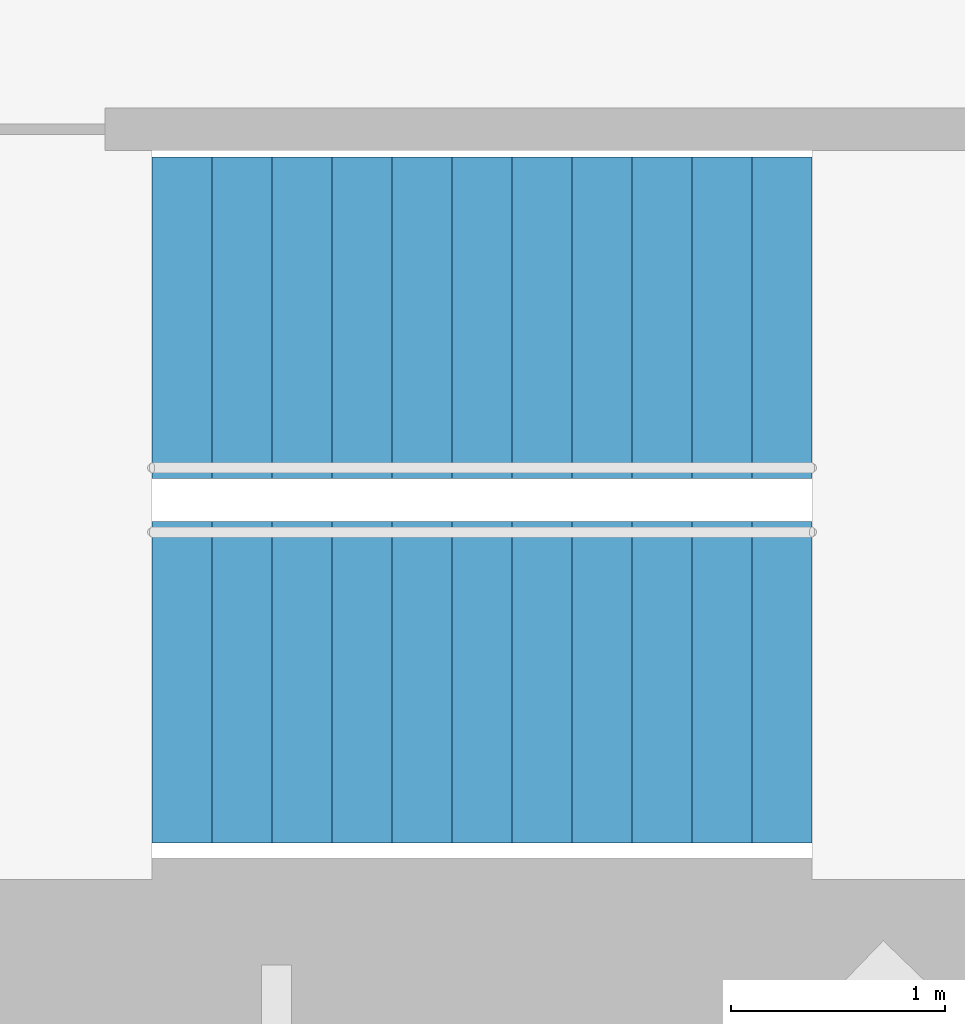
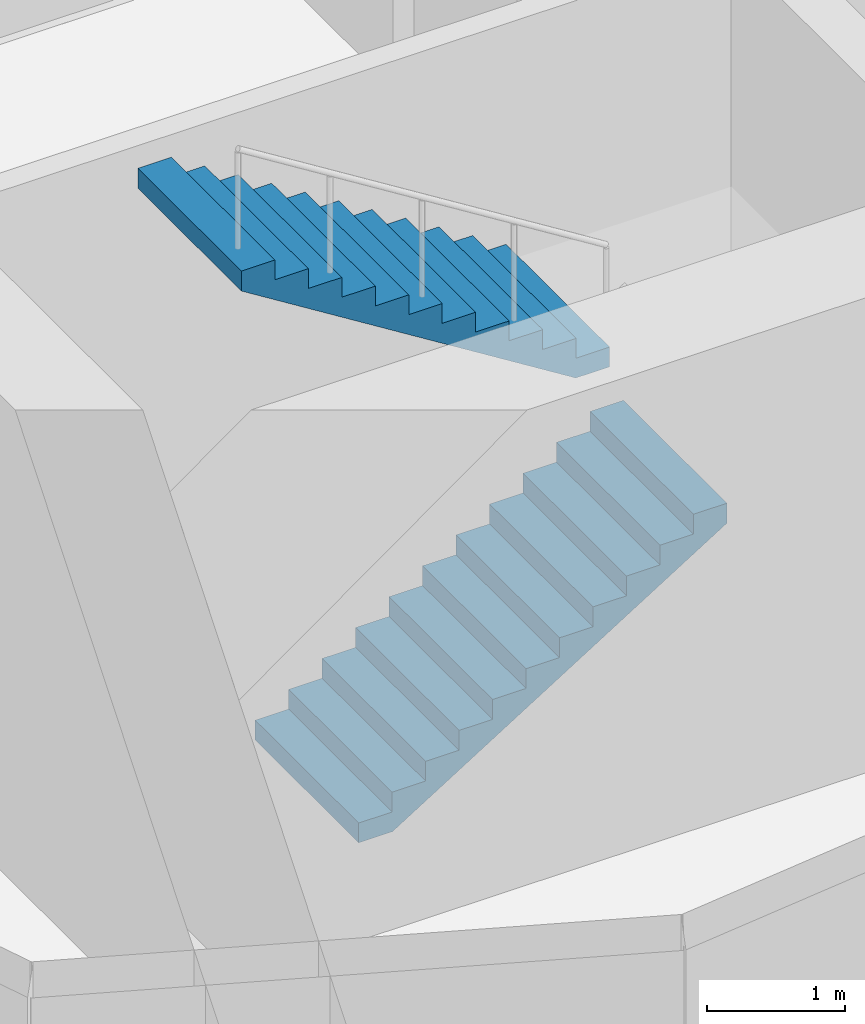
# One storey, part 14 of 16: 2 stair flights, 1 element without a shape of its own.
"""IFC4 building model written with IfcOpenShell, lengths in metres."""

import ifcopenshell
import ifcopenshell.guid

model = None  # the IFC model being written
_history = None  # IfcOwnerHistory: only IFC2X3 demands one
_inside = {}  # id of a spatial element -> (the spatial element, [elements in it])
_under = {}  # id of a project, library or spatial element -> (it, [spatial elements below it])
_declared = {}  # id of a project -> (the project, [libraries it declares])
_typed = {}  # id of a type object -> (the type object, [elements of that type])
_made_of = {}  # id of a material, layer set ... -> (it, [elements and type objects made of it])


def new_model(schema):
    """Start an empty IFC model of exactly this schema.

    Asked for "IFC4X3", IfcOpenShell would pick the latest addendum, in which some entities
    have other attributes; the version numbers below select the first issue.
    IFC2X3 requires an IfcOwnerHistory on every rooted entity: one is made here for all.
    """
    global model, _history
    if schema == "IFC4X3":
        model = ifcopenshell.file(schema_version=(4, 3, 0, 0))
    else:
        model = ifcopenshell.file(schema=schema)
    _inside.clear()
    _under.clear()
    _declared.clear()
    _typed.clear()
    _made_of.clear()
    _history = None
    if model.schema == "IFC2X3":
        org = make("IfcOrganization", Name="unknown")
        user = make(
            "IfcPersonAndOrganization",
            ThePerson=make("IfcPerson", FamilyName="unknown"),
            TheOrganization=org,
        )
        app = make(
            "IfcApplication",
            ApplicationDeveloper=org,
            Version="unknown",
            ApplicationFullName="unknown",
            ApplicationIdentifier="unknown",
        )
        _history = make(
            "IfcOwnerHistory",
            OwningUser=user,
            OwningApplication=app,
            ChangeAction="ADDED",
            CreationDate=0,
        )
    return model


def make(cls, **values):
    """One entity of the class cls with the attributes given. An attribute that is None is left unset."""
    return model.create_entity(
        cls, **{name: value for name, value in values.items() if value is not None}
    )


def rooted(cls, **values):
    """An entity with a GlobalId (a new one), such as an element, a storey or a relation."""
    return make(cls, GlobalId=ifcopenshell.guid.new(), OwnerHistory=_history, **values)


def si_unit(unit_type, name, prefix=None):
    """IfcSIUnit, for example si_unit("LENGTHUNIT", "METRE", prefix="MILLI")."""
    return make("IfcSIUnit", UnitType=unit_type, Prefix=prefix, Name=name)


def assignment(units):
    """IfcUnitAssignment: the units of a project."""
    return None if units is None else make("IfcUnitAssignment", Units=units)


def point(xyz):
    """IfcCartesianPoint."""
    return None if xyz is None else make("IfcCartesianPoint", Coordinates=xyz)


def direction(xyz):
    """IfcDirection."""
    return None if xyz is None else make("IfcDirection", DirectionRatios=xyz)


def frame(location, z_axis=None, x_axis=None):
    """IfcAxis2Placement3D, a coordinate frame: its origin and axes. An axis left out is left unset."""
    return make(
        "IfcAxis2Placement3D",
        Location=point(location),
        Axis=direction(z_axis),
        RefDirection=direction(x_axis),
    )


def origin():
    """The frame at (0, 0, 0) with its axes left unset."""
    return frame((0.0, 0.0, 0.0))


def place(relative_to, where):
    """IfcLocalPlacement: puts the frame where relative to a parent placement (None: the world)."""
    return make(
        "IfcLocalPlacement", PlacementRelTo=relative_to, RelativePlacement=where
    )


def context(
    kind, dimensions, precision=None, world=None, true_north=None, identifier=None
):
    """IfcGeometricRepresentationContext, for example the 3D "Model" context."""
    return make(
        "IfcGeometricRepresentationContext",
        ContextIdentifier=identifier,
        ContextType=kind,
        CoordinateSpaceDimension=dimensions,
        Precision=precision,
        WorldCoordinateSystem=world,
        TrueNorth=true_north,
    )


def subcontext(parent, identifier, kind, view, scale=None):
    """IfcGeometricRepresentationSubContext, for example "Body" below "Model"."""
    return make(
        "IfcGeometricRepresentationSubContext",
        ContextIdentifier=identifier,
        ContextType=kind,
        ParentContext=parent,
        TargetScale=scale,
        TargetView=view,
    )


def project(units=None, contexts=None):
    """IfcProject with its units and contexts."""
    return rooted(
        "IfcProject",
        Name="project",
        RepresentationContexts=contexts,
        UnitsInContext=assignment(units),
    )


def spatial(cls, under=None, at=None, **own):
    """A site, building, storey or space (cls), placed at a placement, below another one or the project."""
    s = rooted(cls, ObjectPlacement=at, **own)
    if under is not None:
        _under.setdefault(under.id(), (under, []))[1].append(s)
    return s


def point_list(points):
    """IfcCartesianPointList2D or 3D."""
    cls = (
        "IfcCartesianPointList2D" if len(points[0]) == 2 else "IfcCartesianPointList3D"
    )
    return make(cls, CoordList=points)


def triangles(points, corners, closed=None, point_numbers=None):
    """IfcTriangulatedFaceSet: each triangle names its three corners, points numbered from 1."""
    return make(
        "IfcTriangulatedFaceSet",
        Coordinates=point_list(points),
        Closed=closed,
        CoordIndex=corners,
        PnIndex=point_numbers,
    )


def shape(context_of_items, identifier, shape_type, items):
    """IfcShapeRepresentation: the items that make up one representation, for example the "Body"."""
    return make(
        "IfcShapeRepresentation",
        ContextOfItems=context_of_items,
        RepresentationIdentifier=identifier,
        RepresentationType=shape_type,
        Items=items,
    )


def material(Name=None, Category=None):
    """IfcMaterial."""
    return make("IfcMaterial", Name=Name, Category=Category)


def made_of(thing, what):
    """Note that an element or type object is made of a material, layer set ...; save() writes the relation."""
    if what is not None:
        _made_of.setdefault(what.id(), (what, []))[1].append(thing)
    return thing


def type_object(cls, material=None, **own):
    """A type object (cls), such as IfcWallType, which elements share."""
    return made_of(rooted(cls, **own), material)


def element(
    cls,
    number,
    at=None,
    inside=None,
    cuts=None,
    type_object=None,
    material=None,
    context=None,
    identifier="Body",
    shape_type=None,
    held_by="IfcProductDefinitionShape",
    body=None,
    shapes=None,
    **own,
):
    """One element of the class cls, such as IfcWall. Its Tag is "e" and its number.

    at: its placement. inside: the storey or other place that contains it. cuts: it is an
    opening in that element (IfcRelVoidsElement). A single representation is given by context,
    identifier, shape_type and body (its items); several are given by shapes. held_by: the class
    of the entity that holds the representations. save() writes the other relations.
    """
    e = rooted(cls, Tag="e%d" % number, ObjectPlacement=at, **own)
    if body is not None:
        shapes = [shape(context, identifier, shape_type, body)]
    if shapes is not None:
        e.Representation = make(held_by, Representations=shapes)
    if inside is not None:
        _inside.setdefault(inside.id(), (inside, []))[1].append(e)
    if cuts is not None:
        rooted(
            "IfcRelVoidsElement", RelatingBuildingElement=cuts, RelatedOpeningElement=e
        )
    if type_object is not None:
        _typed.setdefault(type_object.id(), (type_object, []))[1].append(e)
    return made_of(e, material)


def aggregate(whole, parts):
    """IfcRelAggregates: a whole, such as a stair, and the parts it consists of."""
    return rooted("IfcRelAggregates", RelatingObject=whole, RelatedObjects=parts)


def save(model, path):
    """Write the relations noted so far, then the file.

    IfcRelAggregates (storeys below a building ...), IfcRelContainedInSpatialStructure (elements
    in a storey), IfcRelDefinesByType, IfcRelAssociatesMaterial and IfcRelDeclares: one each for
    every whole, place, type object, material and project.
    """
    for whole, parts in _under.values():
        aggregate(whole, parts)
    for where, things in _inside.values():
        rooted(
            "IfcRelContainedInSpatialStructure",
            RelatedElements=things,
            RelatingStructure=where,
        )
    for kind, things in _typed.values():
        rooted("IfcRelDefinesByType", RelatedObjects=things, RelatingType=kind)
    for what, things in _made_of.values():
        rooted("IfcRelAssociatesMaterial", RelatedObjects=things, RelatingMaterial=what)
    for by, libraries in _declared.values():
        rooted("IfcRelDeclares", RelatingContext=by, RelatedDefinitions=libraries)
    model.write(path)


model = new_model("IFC4")

# Units and contexts
model_context = context("Model", 3, precision=1e-05, world=origin(), true_north=direction((0.0, 1.0)))
body_context = subcontext(model_context, "Body", "Model", "MODEL_VIEW")
ifc_project = project(units=[si_unit("LENGTHUNIT", "METRE"), si_unit("AREAUNIT", "SQUARE_METRE"), si_unit("VOLUMEUNIT", "CUBIC_METRE"), si_unit("PLANEANGLEUNIT", "RADIAN"), si_unit("MASSUNIT", "GRAM", prefix="KILO")], contexts=[model_context])

# Site, building, storey
site_placement = place(None, origin())
site = spatial("IfcSite", under=ifc_project, at=site_placement, CompositionType="ELEMENT")
building_placement = place(site_placement, origin())
building = spatial("IfcBuilding", under=site, at=building_placement, Name="Lantaw Convention Tower", CompositionType="ELEMENT")
storey_placement = place(building_placement, frame((0.0, 0.0, 232.60009765625)))
storey = spatial("IfcBuildingStorey", under=building, at=storey_placement, Name="L54", CompositionType="ELEMENT", Elevation=232.60009765625)

# Stair, stair flights
ifc_material = material(Name="Concrete C35/45", Category="concrete")
stair_type = type_object("IfcStairType", Name="Exit stair 1500 riser 175 in 2 flights", PredefinedType="HALF_TURN_STAIR", material=ifc_material)
stair_placement = place(storey_placement, origin())
stair = element("IfcStair", 1, at=stair_placement, inside=storey, type_object=stair_type, Name="Exit stair S1 L54", PredefinedType="HALF_TURN_STAIR")
stair_flight_type = type_object("IfcStairFlightType", Name="Stair flight 1500 riser 175", PredefinedType="STRAIGHT", material=ifc_material)
stair_flight_1_placement = place(storey_placement, frame((-10.580078125, -5.97998046875, 0.0), z_axis=(0.0, 0.0, 1.0), x_axis=(1.0, 0.0, 0.0)))
stair_flight_1 = element("IfcStairFlight", 2, at=stair_flight_1_placement, type_object=stair_flight_type, Name="S1 flight 1", NumberOfRisers=12, NumberOfTreads=11, PredefinedType="STRAIGHT", RiserHeight=0.175, TreadLength=0.28, context=body_context, shape_type="Tessellation", body=[
    triangles([(0.0, 0.75, 0.0), (0.0, 0.75, 0.175), (0.28, 0.75, 0.0), (0.28, 0.75, 0.175), (0.28, 0.75, 0.35), (0.28283517651771284, 0.75, 0.0), (0.28283517651771284, 0.75, 0.35), (0.56, 0.75, 0.17322801467642948), (0.56, 0.75, 0.35), (0.56, 0.75, 0.5249999999999999), (0.8400000000000001, 0.75, 0.34822801467642944), (0.8400000000000001, 0.75, 0.5249999999999999), (0.8400000000000001, 0.75, 0.7), (1.12, 0.75, 0.5232280146764294), (1.12, 0.75, 0.7), (1.12, 0.75, 0.875), (1.4000000000000001, 0.75, 0.6982280146764295), (1.4000000000000001, 0.75, 0.875), (1.4000000000000001, 0.75, 1.0499999999999998), (1.6800000000000002, 0.75, 0.8732280146764294), (1.6800000000000002, 0.75, 1.0499999999999998), (1.6800000000000002, 0.75, 1.2249999999999999), (1.9600000000000002, 0.75, 1.0482280146764293), (1.9600000000000002, 0.75, 1.2249999999999999), (1.9600000000000002, 0.75, 1.4), (2.24, 0.75, 1.2232280146764294), (2.24, 0.75, 1.4), (2.24, 0.75, 1.575), (2.5200000000000005, 0.75, 1.3982280146764294), (2.5200000000000005, 0.75, 1.575), (2.5200000000000005, 0.75, 1.75), (2.8000000000000003, 0.75, 1.5732280146764293), (2.8000000000000003, 0.75, 1.75), (2.8000000000000003, 0.75, 1.9249999999999998), (3.08, 0.75, 1.7482280146764293), (3.08, 0.75, 1.9249999999999998), (0.0, -0.75, 0.0), (0.0, -0.75, 0.175), (0.28, -0.75, 0.0), (0.28, -0.75, 0.175), (0.28, -0.75, 0.35), (0.28283517651771284, -0.75, 0.0), (0.28283517651771284, -0.75, 0.35), (0.56, -0.75, 0.17322801467642948), (0.56, -0.75, 0.35), (0.56, -0.75, 0.5249999999999999), (0.8400000000000001, -0.75, 0.34822801467642944), (0.8400000000000001, -0.75, 0.5249999999999999), (0.8400000000000001, -0.75, 0.7), (1.12, -0.75, 0.5232280146764294), (1.12, -0.75, 0.7), (1.12, -0.75, 0.875), (1.4000000000000001, -0.75, 0.6982280146764295), (1.4000000000000001, -0.75, 0.875), (1.4000000000000001, -0.75, 1.0499999999999998), (1.6800000000000002, -0.75, 0.8732280146764294), (1.6800000000000002, -0.75, 1.0499999999999998), (1.6800000000000002, -0.75, 1.2249999999999999), (1.9600000000000002, -0.75, 1.0482280146764293), (1.9600000000000002, -0.75, 1.2249999999999999), (1.9600000000000002, -0.75, 1.4), (2.24, -0.75, 1.2232280146764294), (2.24, -0.75, 1.4), (2.24, -0.75, 1.575), (2.5200000000000005, -0.75, 1.3982280146764294), (2.5200000000000005, -0.75, 1.575), (2.5200000000000005, -0.75, 1.75), (2.8000000000000003, -0.75, 1.5732280146764293), (2.8000000000000003, -0.75, 1.75), (2.8000000000000003, -0.75, 1.9249999999999998), (3.08, -0.75, 1.7482280146764293), (3.08, -0.75, 1.9249999999999998), (0.0, 0.15000000000000002, 0.175), (0.0, 0.15000000000000002, 0.0), (0.0, 0.0, 0.175), (0.0, 0.0, 0.0), (0.0, -0.15000000000000002, 0.175), (0.0, -0.15000000000000002, 0.0), (0.28, 0.15000000000000002, 0.35), (0.28, 0.15000000000000002, 0.175), (0.28, 0.0, 0.35), (0.28, 0.0, 0.175), (0.28, -0.15000000000000002, 0.35), (0.28, -0.15000000000000002, 0.175), (0.56, 0.15000000000000002, 0.5249999999999999), (0.56, 0.15000000000000002, 0.35), (0.56, 0.0, 0.5249999999999999), (0.56, 0.0, 0.35), (0.56, -0.15000000000000002, 0.5249999999999999), (0.56, -0.15000000000000002, 0.35), (0.8400000000000001, 0.15000000000000002, 0.7), (0.8400000000000001, 0.15000000000000002, 0.5249999999999999), (0.8400000000000001, 0.0, 0.7), (0.8400000000000001, 0.0, 0.5249999999999999), (0.8400000000000001, -0.15000000000000002, 0.7), (0.8400000000000001, -0.15000000000000002, 0.5249999999999999), (1.12, 0.15000000000000002, 0.875), (1.12, 0.15000000000000002, 0.7), (1.12, 0.0, 0.875), (1.12, 0.0, 0.7), (1.12, -0.15000000000000002, 0.875), (1.12, -0.15000000000000002, 0.7), (1.4000000000000001, 0.15000000000000002, 1.0499999999999998), (1.4000000000000001, 0.15000000000000002, 0.875), (1.4000000000000001, 0.0, 1.0499999999999998), (1.4000000000000001, 0.0, 0.875), (1.4000000000000001, -0.15000000000000002, 1.0499999999999998), (1.4000000000000001, -0.15000000000000002, 0.875), (1.6800000000000002, 0.15000000000000002, 1.2249999999999999), (1.6800000000000002, 0.15000000000000002, 1.0499999999999998), (1.6800000000000002, 0.0, 1.2249999999999999), (1.6800000000000002, 0.0, 1.0499999999999998), (1.6800000000000002, -0.15000000000000002, 1.2249999999999999), (1.6800000000000002, -0.15000000000000002, 1.0499999999999998), (1.9600000000000002, 0.15000000000000002, 1.4), (1.9600000000000002, 0.15000000000000002, 1.2249999999999999), (1.9600000000000002, 0.0, 1.4), (1.9600000000000002, 0.0, 1.2249999999999999), (1.9600000000000002, -0.15000000000000002, 1.4), (1.9600000000000002, -0.15000000000000002, 1.2249999999999999), (2.24, 0.15000000000000002, 1.575), (2.24, 0.15000000000000002, 1.4), (2.24, 0.0, 1.575), (2.24, 0.0, 1.4), (2.24, -0.15000000000000002, 1.575), (2.24, -0.15000000000000002, 1.4), (2.5200000000000005, 0.15000000000000002, 1.75), (2.5200000000000005, 0.15000000000000002, 1.575), (2.5200000000000005, 0.0, 1.75), (2.5200000000000005, 0.0, 1.575), (2.5200000000000005, -0.15000000000000002, 1.75), (2.5200000000000005, -0.15000000000000002, 1.575), (2.8000000000000003, 0.15000000000000002, 1.9249999999999998), (2.8000000000000003, 0.15000000000000002, 1.75), (2.8000000000000003, 0.0, 1.9249999999999998), (2.8000000000000003, 0.0, 1.75), (2.8000000000000003, -0.15000000000000002, 1.9249999999999998), (2.8000000000000003, -0.15000000000000002, 1.75), (0.28283517651771284, 0.15000000000000002, 0.35), (0.28283517651771284, 0.0, 0.35), (0.28283517651771284, -0.15000000000000002, 0.35), (3.08, 0.15000000000000002, 1.9249999999999998), (3.08, 0.0, 1.9249999999999998), (3.08, -0.15000000000000002, 1.9249999999999998), (3.08, 0.15000000000000002, 1.7482280146764293), (3.08, 0.0, 1.7482280146764293), (3.08, -0.15000000000000002, 1.7482280146764293), (2.8000000000000003, 0.15000000000000002, 1.5732280146764293), (2.8000000000000003, 0.0, 1.5732280146764293), (2.8000000000000003, -0.15000000000000002, 1.5732280146764293), (2.5200000000000005, 0.15000000000000002, 1.3982280146764294), (2.5200000000000005, 0.0, 1.3982280146764294), (2.5200000000000005, -0.15000000000000002, 1.3982280146764294), (2.24, 0.15000000000000002, 1.2232280146764294), (2.24, 0.0, 1.2232280146764294), (2.24, -0.15000000000000002, 1.2232280146764294), (1.9600000000000002, 0.15000000000000002, 1.0482280146764293), (1.9600000000000002, 0.0, 1.0482280146764293), (1.9600000000000002, -0.15000000000000002, 1.0482280146764293), (1.6800000000000002, 0.15000000000000002, 0.8732280146764294), (1.6800000000000002, 0.0, 0.8732280146764294), (1.6800000000000002, -0.15000000000000002, 0.8732280146764294), (1.4000000000000001, 0.15000000000000002, 0.6982280146764295), (1.4000000000000001, 0.0, 0.6982280146764295), (1.4000000000000001, -0.15000000000000002, 0.6982280146764295), (1.12, 0.15000000000000002, 0.5232280146764294), (1.12, 0.0, 0.5232280146764294), (1.12, -0.15000000000000002, 0.5232280146764294), (0.8400000000000001, 0.15000000000000002, 0.34822801467642944), (0.8400000000000001, 0.0, 0.34822801467642944), (0.8400000000000001, -0.15000000000000002, 0.34822801467642944), (0.56, 0.15000000000000002, 0.17322801467642948), (0.56, 0.0, 0.17322801467642948), (0.56, -0.15000000000000002, 0.17322801467642948), (0.28283517651771284, 0.15000000000000002, 0.0), (0.28283517651771284, 0.0, 0.0), (0.28283517651771284, -0.15000000000000002, 0.0), (0.28, 0.15000000000000002, 0.0), (0.28, 0.0, 0.0), (0.28, -0.15000000000000002, 0.0)], [[1, 4, 3], [1, 2, 4], [3, 4, 6], [4, 7, 6], [4, 5, 7], [6, 9, 8], [6, 7, 9], [8, 9, 11], [9, 12, 11], [9, 10, 12], [11, 12, 14], [12, 15, 14], [12, 13, 15], [14, 15, 17], [15, 18, 17], [15, 16, 18], [17, 18, 20], [18, 21, 20], [18, 19, 21], [20, 21, 23], [21, 24, 23], [21, 22, 24], [23, 24, 26], [24, 27, 26], [24, 25, 27], [26, 27, 29], [27, 30, 29], [27, 28, 30], [29, 30, 32], [30, 33, 32], [30, 31, 33], [32, 33, 35], [33, 36, 35], [33, 34, 36], [37, 39, 40], [37, 40, 38], [39, 42, 40], [40, 42, 43], [40, 43, 41], [42, 44, 45], [42, 45, 43], [44, 47, 45], [45, 47, 48], [45, 48, 46], [47, 50, 48], [48, 50, 51], [48, 51, 49], [50, 53, 51], [51, 53, 54], [51, 54, 52], [53, 56, 54], [54, 56, 57], [54, 57, 55], [56, 59, 57], [57, 59, 60], [57, 60, 58], [59, 62, 60], [60, 62, 63], [60, 63, 61], [62, 65, 63], [63, 65, 66], [63, 66, 64], [65, 68, 66], [66, 68, 69], [66, 69, 67], [68, 71, 69], [69, 71, 72], [69, 72, 70], [1, 73, 2], [1, 74, 73], [74, 75, 73], [74, 76, 75], [76, 77, 75], [76, 78, 77], [78, 38, 77], [78, 37, 38], [4, 79, 5], [4, 80, 79], [80, 81, 79], [80, 82, 81], [82, 83, 81], [82, 84, 83], [84, 41, 83], [84, 40, 41], [9, 85, 10], [9, 86, 85], [86, 87, 85], [86, 88, 87], [88, 89, 87], [88, 90, 89], [90, 46, 89], [90, 45, 46], [12, 91, 13], [12, 92, 91], [92, 93, 91], [92, 94, 93], [94, 95, 93], [94, 96, 95], [96, 49, 95], [96, 48, 49], [15, 97, 16], [15, 98, 97], [98, 99, 97], [98, 100, 99], [100, 101, 99], [100, 102, 101], [102, 52, 101], [102, 51, 52], [18, 103, 19], [18, 104, 103], [104, 105, 103], [104, 106, 105], [106, 107, 105], [106, 108, 107], [108, 55, 107], [108, 54, 55], [21, 109, 22], [21, 110, 109], [110, 111, 109], [110, 112, 111], [112, 113, 111], [112, 114, 113], [114, 58, 113], [114, 57, 58], [24, 115, 25], [24, 116, 115], [116, 117, 115], [116, 118, 117], [118, 119, 117], [118, 120, 119], [120, 61, 119], [120, 60, 61], [27, 121, 28], [27, 122, 121], [122, 123, 121], [122, 124, 123], [124, 125, 123], [124, 126, 125], [126, 64, 125], [126, 63, 64], [30, 127, 31], [30, 128, 127], [128, 129, 127], [128, 130, 129], [130, 131, 129], [130, 132, 131], [132, 67, 131], [132, 66, 67], [33, 133, 34], [33, 134, 133], [134, 135, 133], [134, 136, 135], [136, 137, 135], [136, 138, 137], [138, 70, 137], [138, 69, 70], [2, 80, 4], [2, 73, 80], [73, 82, 80], [73, 75, 82], [75, 84, 82], [75, 77, 84], [77, 40, 84], [77, 38, 40], [5, 139, 7], [5, 79, 139], [79, 140, 139], [79, 81, 140], [81, 141, 140], [81, 83, 141], [83, 43, 141], [83, 41, 43], [7, 86, 9], [7, 139, 86], [139, 88, 86], [139, 140, 88], [140, 90, 88], [140, 141, 90], [141, 45, 90], [141, 43, 45], [10, 92, 12], [10, 85, 92], [85, 94, 92], [85, 87, 94], [87, 96, 94], [87, 89, 96], [89, 48, 96], [89, 46, 48], [13, 98, 15], [13, 91, 98], [91, 100, 98], [91, 93, 100], [93, 102, 100], [93, 95, 102], [95, 51, 102], [95, 49, 51], [16, 104, 18], [16, 97, 104], [97, 106, 104], [97, 99, 106], [99, 108, 106], [99, 101, 108], [101, 54, 108], [101, 52, 54], [19, 110, 21], [19, 103, 110], [103, 112, 110], [103, 105, 112], [105, 114, 112], [105, 107, 114], [107, 57, 114], [107, 55, 57], [22, 116, 24], [22, 109, 116], [109, 118, 116], [109, 111, 118], [111, 120, 118], [111, 113, 120], [113, 60, 120], [113, 58, 60], [25, 122, 27], [25, 115, 122], [115, 124, 122], [115, 117, 124], [117, 126, 124], [117, 119, 126], [119, 63, 126], [119, 61, 63], [28, 128, 30], [28, 121, 128], [121, 130, 128], [121, 123, 130], [123, 132, 130], [123, 125, 132], [125, 66, 132], [125, 64, 66], [31, 134, 33], [31, 127, 134], [127, 136, 134], [127, 129, 136], [129, 138, 136], [129, 131, 138], [131, 69, 138], [131, 67, 69], [34, 142, 36], [34, 133, 142], [133, 143, 142], [133, 135, 143], [135, 144, 143], [135, 137, 144], [137, 72, 144], [137, 70, 72], [36, 145, 35], [36, 142, 145], [142, 146, 145], [142, 143, 146], [143, 147, 146], [143, 144, 147], [144, 71, 147], [144, 72, 71], [35, 148, 32], [35, 145, 148], [145, 149, 148], [145, 146, 149], [146, 150, 149], [146, 147, 150], [147, 68, 150], [147, 71, 68], [32, 151, 29], [32, 148, 151], [148, 152, 151], [148, 149, 152], [149, 153, 152], [149, 150, 153], [150, 65, 153], [150, 68, 65], [29, 154, 26], [29, 151, 154], [151, 155, 154], [151, 152, 155], [152, 156, 155], [152, 153, 156], [153, 62, 156], [153, 65, 62], [26, 157, 23], [26, 154, 157], [154, 158, 157], [154, 155, 158], [155, 159, 158], [155, 156, 159], [156, 59, 159], [156, 62, 59], [23, 160, 20], [23, 157, 160], [157, 161, 160], [157, 158, 161], [158, 162, 161], [158, 159, 162], [159, 56, 162], [159, 59, 56], [20, 163, 17], [20, 160, 163], [160, 164, 163], [160, 161, 164], [161, 165, 164], [161, 162, 165], [162, 53, 165], [162, 56, 53], [17, 166, 14], [17, 163, 166], [163, 167, 166], [163, 164, 167], [164, 168, 167], [164, 165, 168], [165, 50, 168], [165, 53, 50], [14, 169, 11], [14, 166, 169], [166, 170, 169], [166, 167, 170], [167, 171, 170], [167, 168, 171], [168, 47, 171], [168, 50, 47], [11, 172, 8], [11, 169, 172], [169, 173, 172], [169, 170, 173], [170, 174, 173], [170, 171, 174], [171, 44, 174], [171, 47, 44], [8, 175, 6], [8, 172, 175], [172, 176, 175], [172, 173, 176], [173, 177, 176], [173, 174, 177], [174, 42, 177], [174, 44, 42], [6, 178, 3], [6, 175, 178], [175, 179, 178], [175, 176, 179], [176, 180, 179], [176, 177, 180], [177, 39, 180], [177, 42, 39], [3, 74, 1], [3, 178, 74], [178, 76, 74], [178, 179, 76], [179, 78, 76], [179, 180, 78], [180, 37, 78], [180, 39, 37]], closed=True),
])
stair_flight_2_placement = place(storey_placement, frame((-7.5, -4.280029296875, 2.099853515625), z_axis=(0.0, 0.0, 1.0), x_axis=(-1.0, 0.0, 0.0)))
stair_flight_2 = element("IfcStairFlight", 3, at=stair_flight_2_placement, type_object=stair_flight_type, Name="S1 flight 2", NumberOfRisers=12, NumberOfTreads=11, PredefinedType="STRAIGHT", RiserHeight=0.175, TreadLength=0.28, context=body_context, shape_type="Tessellation", body=[
    triangles([(0.0, 0.75, 0.0), (0.0, 0.75, 0.175), (0.28, 0.75, 0.0), (0.28, 0.75, 0.175), (0.28, 0.75, 0.35), (0.28283517651771284, 0.75, 0.0), (0.28283517651771284, 0.75, 0.35), (0.56, 0.75, 0.17322801467642948), (0.56, 0.75, 0.35), (0.56, 0.75, 0.5249999999999999), (0.8400000000000001, 0.75, 0.34822801467642944), (0.8400000000000001, 0.75, 0.5249999999999999), (0.8400000000000001, 0.75, 0.7), (1.12, 0.75, 0.5232280146764294), (1.12, 0.75, 0.7), (1.12, 0.75, 0.875), (1.4000000000000001, 0.75, 0.6982280146764295), (1.4000000000000001, 0.75, 0.875), (1.4000000000000001, 0.75, 1.0499999999999998), (1.6800000000000002, 0.75, 0.8732280146764294), (1.6800000000000002, 0.75, 1.0499999999999998), (1.6800000000000002, 0.75, 1.2249999999999999), (1.9600000000000002, 0.75, 1.0482280146764293), (1.9600000000000002, 0.75, 1.2249999999999999), (1.9600000000000002, 0.75, 1.4), (2.24, 0.75, 1.2232280146764294), (2.24, 0.75, 1.4), (2.24, 0.75, 1.575), (2.5200000000000005, 0.75, 1.3982280146764294), (2.5200000000000005, 0.75, 1.575), (2.5200000000000005, 0.75, 1.75), (2.8000000000000003, 0.75, 1.5732280146764293), (2.8000000000000003, 0.75, 1.75), (2.8000000000000003, 0.75, 1.9249999999999998), (3.08, 0.75, 1.7482280146764293), (3.08, 0.75, 1.9249999999999998), (0.0, -0.75, 0.0), (0.0, -0.75, 0.175), (0.28, -0.75, 0.0), (0.28, -0.75, 0.175), (0.28, -0.75, 0.35), (0.28283517651771284, -0.75, 0.0), (0.28283517651771284, -0.75, 0.35), (0.56, -0.75, 0.17322801467642948), (0.56, -0.75, 0.35), (0.56, -0.75, 0.5249999999999999), (0.8400000000000001, -0.75, 0.34822801467642944), (0.8400000000000001, -0.75, 0.5249999999999999), (0.8400000000000001, -0.75, 0.7), (1.12, -0.75, 0.5232280146764294), (1.12, -0.75, 0.7), (1.12, -0.75, 0.875), (1.4000000000000001, -0.75, 0.6982280146764295), (1.4000000000000001, -0.75, 0.875), (1.4000000000000001, -0.75, 1.0499999999999998), (1.6800000000000002, -0.75, 0.8732280146764294), (1.6800000000000002, -0.75, 1.0499999999999998), (1.6800000000000002, -0.75, 1.2249999999999999), (1.9600000000000002, -0.75, 1.0482280146764293), (1.9600000000000002, -0.75, 1.2249999999999999), (1.9600000000000002, -0.75, 1.4), (2.24, -0.75, 1.2232280146764294), (2.24, -0.75, 1.4), (2.24, -0.75, 1.575), (2.5200000000000005, -0.75, 1.3982280146764294), (2.5200000000000005, -0.75, 1.575), (2.5200000000000005, -0.75, 1.75), (2.8000000000000003, -0.75, 1.5732280146764293), (2.8000000000000003, -0.75, 1.75), (2.8000000000000003, -0.75, 1.9249999999999998), (3.08, -0.75, 1.7482280146764293), (3.08, -0.75, 1.9249999999999998), (0.0, 0.15000000000000002, 0.175), (0.0, 0.15000000000000002, 0.0), (0.0, 0.0, 0.175), (0.0, 0.0, 0.0), (0.0, -0.15000000000000002, 0.175), (0.0, -0.15000000000000002, 0.0), (0.28, 0.15000000000000002, 0.35), (0.28, 0.15000000000000002, 0.175), (0.28, 0.0, 0.35), (0.28, 0.0, 0.175), (0.28, -0.15000000000000002, 0.35), (0.28, -0.15000000000000002, 0.175), (0.56, 0.15000000000000002, 0.5249999999999999), (0.56, 0.15000000000000002, 0.35), (0.56, 0.0, 0.5249999999999999), (0.56, 0.0, 0.35), (0.56, -0.15000000000000002, 0.5249999999999999), (0.56, -0.15000000000000002, 0.35), (0.8400000000000001, 0.15000000000000002, 0.7), (0.8400000000000001, 0.15000000000000002, 0.5249999999999999), (0.8400000000000001, 0.0, 0.7), (0.8400000000000001, 0.0, 0.5249999999999999), (0.8400000000000001, -0.15000000000000002, 0.7), (0.8400000000000001, -0.15000000000000002, 0.5249999999999999), (1.12, 0.15000000000000002, 0.875), (1.12, 0.15000000000000002, 0.7), (1.12, 0.0, 0.875), (1.12, 0.0, 0.7), (1.12, -0.15000000000000002, 0.875), (1.12, -0.15000000000000002, 0.7), (1.4000000000000001, 0.15000000000000002, 1.0499999999999998), (1.4000000000000001, 0.15000000000000002, 0.875), (1.4000000000000001, 0.0, 1.0499999999999998), (1.4000000000000001, 0.0, 0.875), (1.4000000000000001, -0.15000000000000002, 1.0499999999999998), (1.4000000000000001, -0.15000000000000002, 0.875), (1.6800000000000002, 0.15000000000000002, 1.2249999999999999), (1.6800000000000002, 0.15000000000000002, 1.0499999999999998), (1.6800000000000002, 0.0, 1.2249999999999999), (1.6800000000000002, 0.0, 1.0499999999999998), (1.6800000000000002, -0.15000000000000002, 1.2249999999999999), (1.6800000000000002, -0.15000000000000002, 1.0499999999999998), (1.9600000000000002, 0.15000000000000002, 1.4), (1.9600000000000002, 0.15000000000000002, 1.2249999999999999), (1.9600000000000002, 0.0, 1.4), (1.9600000000000002, 0.0, 1.2249999999999999), (1.9600000000000002, -0.15000000000000002, 1.4), (1.9600000000000002, -0.15000000000000002, 1.2249999999999999), (2.24, 0.15000000000000002, 1.575), (2.24, 0.15000000000000002, 1.4), (2.24, 0.0, 1.575), (2.24, 0.0, 1.4), (2.24, -0.15000000000000002, 1.575), (2.24, -0.15000000000000002, 1.4), (2.5200000000000005, 0.15000000000000002, 1.75), (2.5200000000000005, 0.15000000000000002, 1.575), (2.5200000000000005, 0.0, 1.75), (2.5200000000000005, 0.0, 1.575), (2.5200000000000005, -0.15000000000000002, 1.75), (2.5200000000000005, -0.15000000000000002, 1.575), (2.8000000000000003, 0.15000000000000002, 1.9249999999999998), (2.8000000000000003, 0.15000000000000002, 1.75), (2.8000000000000003, 0.0, 1.9249999999999998), (2.8000000000000003, 0.0, 1.75), (2.8000000000000003, -0.15000000000000002, 1.9249999999999998), (2.8000000000000003, -0.15000000000000002, 1.75), (0.28283517651771284, 0.15000000000000002, 0.35), (0.28283517651771284, 0.0, 0.35), (0.28283517651771284, -0.15000000000000002, 0.35), (3.08, 0.15000000000000002, 1.9249999999999998), (3.08, 0.0, 1.9249999999999998), (3.08, -0.15000000000000002, 1.9249999999999998), (3.08, 0.15000000000000002, 1.7482280146764293), (3.08, 0.0, 1.7482280146764293), (3.08, -0.15000000000000002, 1.7482280146764293), (2.8000000000000003, 0.15000000000000002, 1.5732280146764293), (2.8000000000000003, 0.0, 1.5732280146764293), (2.8000000000000003, -0.15000000000000002, 1.5732280146764293), (2.5200000000000005, 0.15000000000000002, 1.3982280146764294), (2.5200000000000005, 0.0, 1.3982280146764294), (2.5200000000000005, -0.15000000000000002, 1.3982280146764294), (2.24, 0.15000000000000002, 1.2232280146764294), (2.24, 0.0, 1.2232280146764294), (2.24, -0.15000000000000002, 1.2232280146764294), (1.9600000000000002, 0.15000000000000002, 1.0482280146764293), (1.9600000000000002, 0.0, 1.0482280146764293), (1.9600000000000002, -0.15000000000000002, 1.0482280146764293), (1.6800000000000002, 0.15000000000000002, 0.8732280146764294), (1.6800000000000002, 0.0, 0.8732280146764294), (1.6800000000000002, -0.15000000000000002, 0.8732280146764294), (1.4000000000000001, 0.15000000000000002, 0.6982280146764295), (1.4000000000000001, 0.0, 0.6982280146764295), (1.4000000000000001, -0.15000000000000002, 0.6982280146764295), (1.12, 0.15000000000000002, 0.5232280146764294), (1.12, 0.0, 0.5232280146764294), (1.12, -0.15000000000000002, 0.5232280146764294), (0.8400000000000001, 0.15000000000000002, 0.34822801467642944), (0.8400000000000001, 0.0, 0.34822801467642944), (0.8400000000000001, -0.15000000000000002, 0.34822801467642944), (0.56, 0.15000000000000002, 0.17322801467642948), (0.56, 0.0, 0.17322801467642948), (0.56, -0.15000000000000002, 0.17322801467642948), (0.28283517651771284, 0.15000000000000002, 0.0), (0.28283517651771284, 0.0, 0.0), (0.28283517651771284, -0.15000000000000002, 0.0), (0.28, 0.15000000000000002, 0.0), (0.28, 0.0, 0.0), (0.28, -0.15000000000000002, 0.0)], [[1, 4, 3], [1, 2, 4], [3, 4, 6], [4, 7, 6], [4, 5, 7], [6, 9, 8], [6, 7, 9], [8, 9, 11], [9, 12, 11], [9, 10, 12], [11, 12, 14], [12, 15, 14], [12, 13, 15], [14, 15, 17], [15, 18, 17], [15, 16, 18], [17, 18, 20], [18, 21, 20], [18, 19, 21], [20, 21, 23], [21, 24, 23], [21, 22, 24], [23, 24, 26], [24, 27, 26], [24, 25, 27], [26, 27, 29], [27, 30, 29], [27, 28, 30], [29, 30, 32], [30, 33, 32], [30, 31, 33], [32, 33, 35], [33, 36, 35], [33, 34, 36], [37, 39, 40], [37, 40, 38], [39, 42, 40], [40, 42, 43], [40, 43, 41], [42, 44, 45], [42, 45, 43], [44, 47, 45], [45, 47, 48], [45, 48, 46], [47, 50, 48], [48, 50, 51], [48, 51, 49], [50, 53, 51], [51, 53, 54], [51, 54, 52], [53, 56, 54], [54, 56, 57], [54, 57, 55], [56, 59, 57], [57, 59, 60], [57, 60, 58], [59, 62, 60], [60, 62, 63], [60, 63, 61], [62, 65, 63], [63, 65, 66], [63, 66, 64], [65, 68, 66], [66, 68, 69], [66, 69, 67], [68, 71, 69], [69, 71, 72], [69, 72, 70], [1, 73, 2], [1, 74, 73], [74, 75, 73], [74, 76, 75], [76, 77, 75], [76, 78, 77], [78, 38, 77], [78, 37, 38], [4, 79, 5], [4, 80, 79], [80, 81, 79], [80, 82, 81], [82, 83, 81], [82, 84, 83], [84, 41, 83], [84, 40, 41], [9, 85, 10], [9, 86, 85], [86, 87, 85], [86, 88, 87], [88, 89, 87], [88, 90, 89], [90, 46, 89], [90, 45, 46], [12, 91, 13], [12, 92, 91], [92, 93, 91], [92, 94, 93], [94, 95, 93], [94, 96, 95], [96, 49, 95], [96, 48, 49], [15, 97, 16], [15, 98, 97], [98, 99, 97], [98, 100, 99], [100, 101, 99], [100, 102, 101], [102, 52, 101], [102, 51, 52], [18, 103, 19], [18, 104, 103], [104, 105, 103], [104, 106, 105], [106, 107, 105], [106, 108, 107], [108, 55, 107], [108, 54, 55], [21, 109, 22], [21, 110, 109], [110, 111, 109], [110, 112, 111], [112, 113, 111], [112, 114, 113], [114, 58, 113], [114, 57, 58], [24, 115, 25], [24, 116, 115], [116, 117, 115], [116, 118, 117], [118, 119, 117], [118, 120, 119], [120, 61, 119], [120, 60, 61], [27, 121, 28], [27, 122, 121], [122, 123, 121], [122, 124, 123], [124, 125, 123], [124, 126, 125], [126, 64, 125], [126, 63, 64], [30, 127, 31], [30, 128, 127], [128, 129, 127], [128, 130, 129], [130, 131, 129], [130, 132, 131], [132, 67, 131], [132, 66, 67], [33, 133, 34], [33, 134, 133], [134, 135, 133], [134, 136, 135], [136, 137, 135], [136, 138, 137], [138, 70, 137], [138, 69, 70], [2, 80, 4], [2, 73, 80], [73, 82, 80], [73, 75, 82], [75, 84, 82], [75, 77, 84], [77, 40, 84], [77, 38, 40], [5, 139, 7], [5, 79, 139], [79, 140, 139], [79, 81, 140], [81, 141, 140], [81, 83, 141], [83, 43, 141], [83, 41, 43], [7, 86, 9], [7, 139, 86], [139, 88, 86], [139, 140, 88], [140, 90, 88], [140, 141, 90], [141, 45, 90], [141, 43, 45], [10, 92, 12], [10, 85, 92], [85, 94, 92], [85, 87, 94], [87, 96, 94], [87, 89, 96], [89, 48, 96], [89, 46, 48], [13, 98, 15], [13, 91, 98], [91, 100, 98], [91, 93, 100], [93, 102, 100], [93, 95, 102], [95, 51, 102], [95, 49, 51], [16, 104, 18], [16, 97, 104], [97, 106, 104], [97, 99, 106], [99, 108, 106], [99, 101, 108], [101, 54, 108], [101, 52, 54], [19, 110, 21], [19, 103, 110], [103, 112, 110], [103, 105, 112], [105, 114, 112], [105, 107, 114], [107, 57, 114], [107, 55, 57], [22, 116, 24], [22, 109, 116], [109, 118, 116], [109, 111, 118], [111, 120, 118], [111, 113, 120], [113, 60, 120], [113, 58, 60], [25, 122, 27], [25, 115, 122], [115, 124, 122], [115, 117, 124], [117, 126, 124], [117, 119, 126], [119, 63, 126], [119, 61, 63], [28, 128, 30], [28, 121, 128], [121, 130, 128], [121, 123, 130], [123, 132, 130], [123, 125, 132], [125, 66, 132], [125, 64, 66], [31, 134, 33], [31, 127, 134], [127, 136, 134], [127, 129, 136], [129, 138, 136], [129, 131, 138], [131, 69, 138], [131, 67, 69], [34, 142, 36], [34, 133, 142], [133, 143, 142], [133, 135, 143], [135, 144, 143], [135, 137, 144], [137, 72, 144], [137, 70, 72], [36, 145, 35], [36, 142, 145], [142, 146, 145], [142, 143, 146], [143, 147, 146], [143, 144, 147], [144, 71, 147], [144, 72, 71], [35, 148, 32], [35, 145, 148], [145, 149, 148], [145, 146, 149], [146, 150, 149], [146, 147, 150], [147, 68, 150], [147, 71, 68], [32, 151, 29], [32, 148, 151], [148, 152, 151], [148, 149, 152], [149, 153, 152], [149, 150, 153], [150, 65, 153], [150, 68, 65], [29, 154, 26], [29, 151, 154], [151, 155, 154], [151, 152, 155], [152, 156, 155], [152, 153, 156], [153, 62, 156], [153, 65, 62], [26, 157, 23], [26, 154, 157], [154, 158, 157], [154, 155, 158], [155, 159, 158], [155, 156, 159], [156, 59, 159], [156, 62, 59], [23, 160, 20], [23, 157, 160], [157, 161, 160], [157, 158, 161], [158, 162, 161], [158, 159, 162], [159, 56, 162], [159, 59, 56], [20, 163, 17], [20, 160, 163], [160, 164, 163], [160, 161, 164], [161, 165, 164], [161, 162, 165], [162, 53, 165], [162, 56, 53], [17, 166, 14], [17, 163, 166], [163, 167, 166], [163, 164, 167], [164, 168, 167], [164, 165, 168], [165, 50, 168], [165, 53, 50], [14, 169, 11], [14, 166, 169], [166, 170, 169], [166, 167, 170], [167, 171, 170], [167, 168, 171], [168, 47, 171], [168, 50, 47], [11, 172, 8], [11, 169, 172], [169, 173, 172], [169, 170, 173], [170, 174, 173], [170, 171, 174], [171, 44, 174], [171, 47, 44], [8, 175, 6], [8, 172, 175], [172, 176, 175], [172, 173, 176], [173, 177, 176], [173, 174, 177], [174, 42, 177], [174, 44, 42], [6, 178, 3], [6, 175, 178], [175, 179, 178], [175, 176, 179], [176, 180, 179], [176, 177, 180], [177, 39, 180], [177, 42, 39], [3, 74, 1], [3, 178, 74], [178, 76, 74], [178, 179, 76], [179, 78, 76], [179, 180, 78], [180, 37, 78], [180, 39, 37]], closed=True),
])
aggregate(stair, [stair_flight_1, stair_flight_2])

save(model, "model.ifc")
